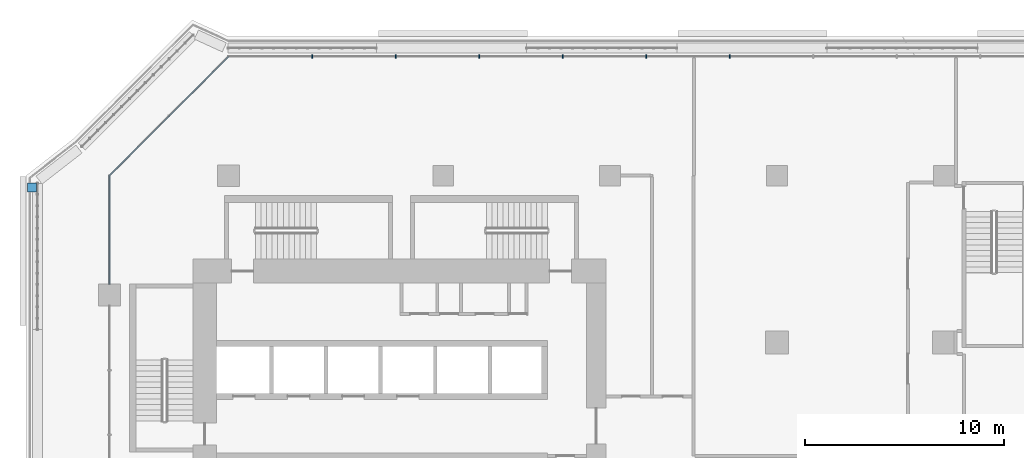
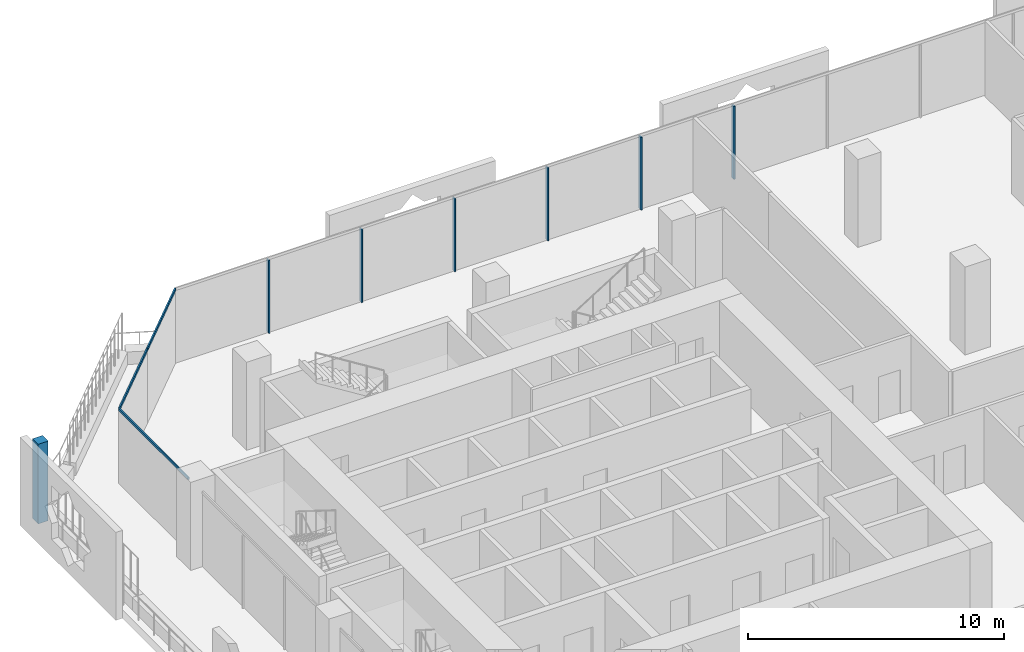
# One storey, part 8 of 29: 10 members, 4 elements without a shape of their own.
"""IFC4 building model written with IfcOpenShell, lengths in metres."""

from ifc_helpers import new_model, si_unit, direction, frame, origin, origin_2d, place, context, subcontext, project, spatial, rectangle, extrude, material, layer, layer_set, material_profile, profile_set, type_object, element, aggregate, save


model = new_model("IFC4")

# Units and contexts
model_context = context("Model", 3, precision=1e-05, world=origin(), true_north=direction((0.0, 1.0)))
body_context = subcontext(model_context, "Body", "Model", "MODEL_VIEW")
ifc_project = project(units=[si_unit("LENGTHUNIT", "METRE"), si_unit("AREAUNIT", "SQUARE_METRE"), si_unit("VOLUMEUNIT", "CUBIC_METRE"), si_unit("PLANEANGLEUNIT", "RADIAN"), si_unit("MASSUNIT", "GRAM", prefix="KILO")], contexts=[model_context])

# Site, building, storey
site_placement = place(None, origin())
site = spatial("IfcSite", under=ifc_project, at=site_placement, CompositionType="ELEMENT")
building_placement = place(site_placement, origin())
building = spatial("IfcBuilding", under=site, at=building_placement, Name="Kawkab Arch Medical Tower", CompositionType="ELEMENT")
storey_placement = place(building_placement, frame((0.0, 0.0, 107.199951171875)))
storey = spatial("IfcBuildingStorey", under=building, at=storey_placement, Name="L24", CompositionType="ELEMENT", Elevation=107.199951171875)

# Curtain wall, members
ifc_material_1 = material(Name="Bronze anodised aluminium curtain wall frame", Category="aluminium")
ifc_layer_1 = layer(ifc_material_1, 0.159912109375)
ifc_layer_set_1 = layer_set([ifc_layer_1], Name="Bronze anodised aluminium curtain wall frame")
curtain_wall_type_1 = type_object("IfcCurtainWallType", Name="CW1 ward curtain wall", PredefinedType="NOTDEFINED", material=ifc_layer_set_1)
placement = place(storey_placement, origin())
curtain_wall_1 = element("IfcCurtainWall", 1, at=placement, inside=storey, type_object=curtain_wall_type_1, Name="CW1 Ward curtain wall R11", PredefinedType="NOTDEFINED")
ifc_material_2 = material(Name="Bronze anodised aluminium curtain wall frame", Category="aluminium")
ifc_material_profile_1 = material_profile(ifc_material_2, rectangle(XDim=0.179931640625, YDim=0.06005859375, at=origin_2d()), Name="AL 60x180")
ifc_profile_set_1 = profile_set([ifc_material_profile_1], Name="Bronze anodised aluminium curtain wall frame")
member_type_1 = type_object("IfcMemberType", Name="CW1 mullion 60 x 180", PredefinedType="MULLION", material=ifc_profile_set_1)
member_1_placement = place(storey_placement, frame((31.219970703125, 6.0, 0.0), z_axis=(0.0, 0.0, 1.0), x_axis=(0.0, -1.0, 0.0)))
member_1 = element("IfcMember", 2, at=member_1_placement, type_object=member_type_1, Name="CW1 mullion 2.9", PredefinedType="MULLION", context=body_context, shape_type="SweptSolid", body=[
    extrude(rectangle(XDim=0.179931640625, YDim=0.06005859375, at=origin_2d()), origin(), (0.0, 0.0, 1.0), 3.47998046875),
])
member_2_placement = place(storey_placement, frame((27.0166015625, 6.0, 0.0), z_axis=(0.0, 0.0, 1.0), x_axis=(0.0, -1.0, 0.0)))
member_2 = element("IfcMember", 3, at=member_2_placement, type_object=member_type_1, Name="CW1 mullion 2.10", PredefinedType="MULLION", context=body_context, shape_type="SweptSolid", body=[
    extrude(rectangle(XDim=0.179931640625, YDim=0.06005859375, at=origin_2d()), origin(), (0.0, 0.0, 1.0), 3.47998046875),
])
member_3_placement = place(storey_placement, frame((22.813232421875, 6.0, 0.0), z_axis=(0.0, 0.0, 1.0), x_axis=(0.0, -1.0, 0.0)))
member_3 = element("IfcMember", 4, at=member_3_placement, type_object=member_type_1, Name="CW1 mullion 2.11", PredefinedType="MULLION", context=body_context, shape_type="SweptSolid", body=[
    extrude(rectangle(XDim=0.179931640625, YDim=0.06005859375, at=origin_2d()), origin(), (0.0, 0.0, 1.0), 3.47998046875),
])
member_4_placement = place(storey_placement, frame((18.610107421875, 6.0, 0.0), z_axis=(0.0, 0.0, 1.0), x_axis=(0.0, -1.0, 0.0)))
member_4 = element("IfcMember", 5, at=member_4_placement, type_object=member_type_1, Name="CW1 mullion 2.12", PredefinedType="MULLION", context=body_context, shape_type="SweptSolid", body=[
    extrude(rectangle(XDim=0.179931640625, YDim=0.06005859375, at=origin_2d()), origin(), (0.0, 0.0, 1.0), 3.47998046875),
])
member_5_placement = place(storey_placement, frame((14.40673828125, 6.0, 0.0), z_axis=(0.0, 0.0, 1.0), x_axis=(0.0, -1.0, 0.0)))
member_5 = element("IfcMember", 6, at=member_5_placement, type_object=member_type_1, Name="CW1 mullion 2.13", PredefinedType="MULLION", context=body_context, shape_type="SweptSolid", body=[
    extrude(rectangle(XDim=0.179931640625, YDim=0.06005859375, at=origin_2d()), origin(), (0.0, 0.0, 1.0), 3.47998046875),
])
member_6_placement = place(storey_placement, frame((10.203369140625, 6.0, 0.0), z_axis=(0.0, 0.0, 1.0), x_axis=(0.0, -1.0, 0.0)))
member_6 = element("IfcMember", 7, at=member_6_placement, type_object=member_type_1, Name="CW1 mullion 2.14", PredefinedType="MULLION", context=body_context, shape_type="SweptSolid", body=[
    extrude(rectangle(XDim=0.179931640625, YDim=0.06005859375, at=origin_2d()), origin(), (0.0, 0.0, 1.0), 3.47998046875),
])
aggregate(curtain_wall_1, [member_1, member_2, member_3, member_4, member_5, member_6])

# Curtain wall, member
curtain_wall_2 = element("IfcCurtainWall", 8, at=placement, inside=storey, type_object=curtain_wall_type_1, Name="CW1 Ward curtain wall R13", PredefinedType="NOTDEFINED")
ifc_material_3 = material(Name="Bronze anodised aluminium curtain wall frame", Category="aluminium")
ifc_material_profile_2 = material_profile(ifc_material_3, rectangle(XDim=0.06005859375, YDim=0.1201171875, at=origin_2d()), Name="AL 60x120")
ifc_profile_set_2 = profile_set([ifc_material_profile_2], Name="Bronze anodised aluminium curtain wall frame")
member_type_2 = type_object("IfcMemberType", Name="CW1 transom 120 x 60", PredefinedType="USERDEFINED", material=ifc_profile_set_2)
member_7_placement = place(storey_placement, frame((0.0, 0.0, 3.5400390625), z_axis=(0.0, -1.0, 0.0), x_axis=(1.0, 0.0, 0.0)))
member_7 = element("IfcMember", 9, at=member_7_placement, type_object=member_type_2, Name="CW1 transom 1", ObjectType="TRANSOM", PredefinedType="USERDEFINED", context=body_context, shape_type="SweptSolid", body=[
    extrude(rectangle(XDim=0.06005859375, YDim=0.1201171875, at=origin_2d()), origin(), (0.0, 0.0, 1.0), 5.449951171875),
])
aggregate(curtain_wall_2, [member_7])

# Curtain wall, members
ifc_material_4 = material(Name="Bronze anodised aluminium curtain wall frame", Category="aluminium")
ifc_layer_2 = layer(ifc_material_4, 0.159912109375)
ifc_layer_set_2 = layer_set([ifc_layer_2], Name="Bronze anodised aluminium curtain wall frame")
curtain_wall_type_2 = type_object("IfcCurtainWallType", Name="CW2 chamfer curtain wall", PredefinedType="NOTDEFINED", material=ifc_layer_set_2)
curtain_wall_3 = element("IfcCurtainWall", 10, at=placement, inside=storey, type_object=curtain_wall_type_2, Name="CW2 Chamfer curtain wall R12", PredefinedType="NOTDEFINED")
ifc_material_5 = material(Name="Bronze anodised aluminium curtain wall frame", Category="aluminium")
ifc_material_profile_3 = material_profile(ifc_material_5, rectangle(XDim=0.06005859375, YDim=0.139892578125, at=origin_2d()), Name="AL 60x140")
ifc_profile_set_3 = profile_set([ifc_material_profile_3], Name="Bronze anodised aluminium curtain wall frame")
member_type_3 = type_object("IfcMemberType", Name="CW2 transom 140 x 60", PredefinedType="USERDEFINED", material=ifc_profile_set_3)
member_8_placement = place(storey_placement, frame((6.0, 6.0, 3.530029296875), z_axis=(-0.707106781187, -0.707106781187, 0.0), x_axis=(0.707106781187, -0.707106781187, 0.0)))
member_8 = element("IfcMember", 11, at=member_8_placement, type_object=member_type_3, Name="CW2 transom 1", ObjectType="TRANSOM", PredefinedType="USERDEFINED", context=body_context, shape_type="SweptSolid", body=[
    extrude(rectangle(XDim=0.06005859375, YDim=0.139892578125, at=origin_2d()), origin(), (0.0, 0.0, 1.0), 4.24267578125),
])
member_9_placement = place(storey_placement, frame((3.0, 3.0, 3.530029296875), z_axis=(-0.707106781187, -0.707106781187, 0.0), x_axis=(0.707106781187, -0.707106781187, 0.0)))
member_9 = element("IfcMember", 12, at=member_9_placement, type_object=member_type_3, Name="CW2 transom 2", ObjectType="TRANSOM", PredefinedType="USERDEFINED", context=body_context, shape_type="SweptSolid", body=[
    extrude(rectangle(XDim=0.06005859375, YDim=0.139892578125, at=origin_2d()), origin(), (0.0, 0.0, 1.0), 4.24267578125),
])
aggregate(curtain_wall_3, [member_8, member_9])

# Curtain wall, member
ifc_material_6 = material(Name="Bronze anodised aluminium climber frame, planted", Category="aluminium")
ifc_layer_3 = layer(ifc_material_6, 0.449951171875)
ifc_layer_set_3 = layer_set([ifc_layer_3], Name="Bronze anodised aluminium climber frame, planted")
curtain_wall_type_3 = type_object("IfcCurtainWallType", Name="Planted climber frame", PredefinedType="NOTDEFINED", material=ifc_layer_set_3)
curtain_wall_4 = element("IfcCurtainWall", 13, at=placement, inside=storey, type_object=curtain_wall_type_3, Name="Planted climber frame L24", PredefinedType="NOTDEFINED")
ifc_material_7 = material(Name="Bronze anodised aluminium climber frame, planted", Category="aluminium")
ifc_material_profile_4 = material_profile(ifc_material_7, rectangle(XDim=0.449951171875, YDim=0.449951171875, at=origin_2d()), Name="Post 450x450")
ifc_profile_set_4 = profile_set([ifc_material_profile_4], Name="Bronze anodised aluminium climber frame, planted")
member_type_4 = type_object("IfcMemberType", Name="Planted climber post 450 x 450", PredefinedType="MULLION", material=ifc_profile_set_4)
member_10_placement = place(storey_placement, frame((-3.89990234375, -0.596923828125, 0.0), z_axis=(0.0, 0.0, 1.0), x_axis=(1.0, 0.0, 0.0)))
member_10 = element("IfcMember", 14, at=member_10_placement, type_object=member_type_4, Name="Planted climber post L24.LOG-01-02.2", PredefinedType="MULLION", context=body_context, shape_type="SweptSolid", body=[
    extrude(rectangle(XDim=0.449951171875, YDim=0.449951171875, at=origin_2d()), origin(), (0.0, 0.0, 1.0), 3.800048828125),
])
aggregate(curtain_wall_4, [member_10])

save(model, "model.ifc")
